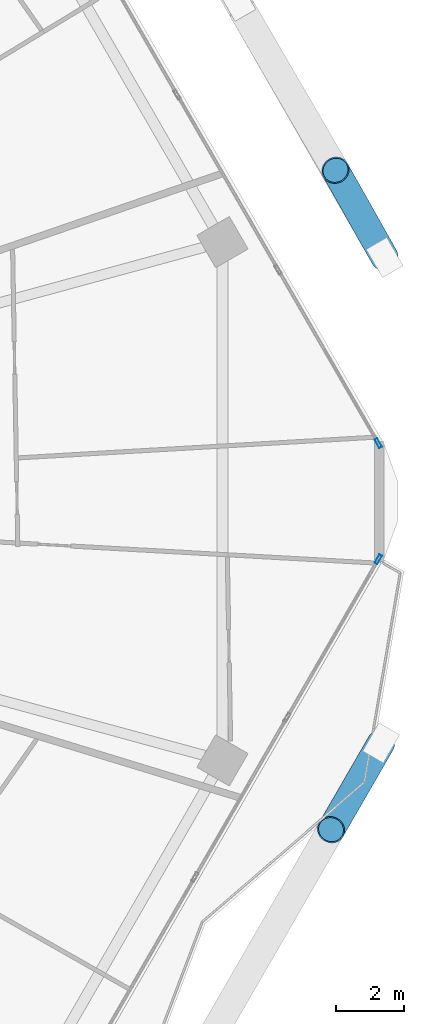
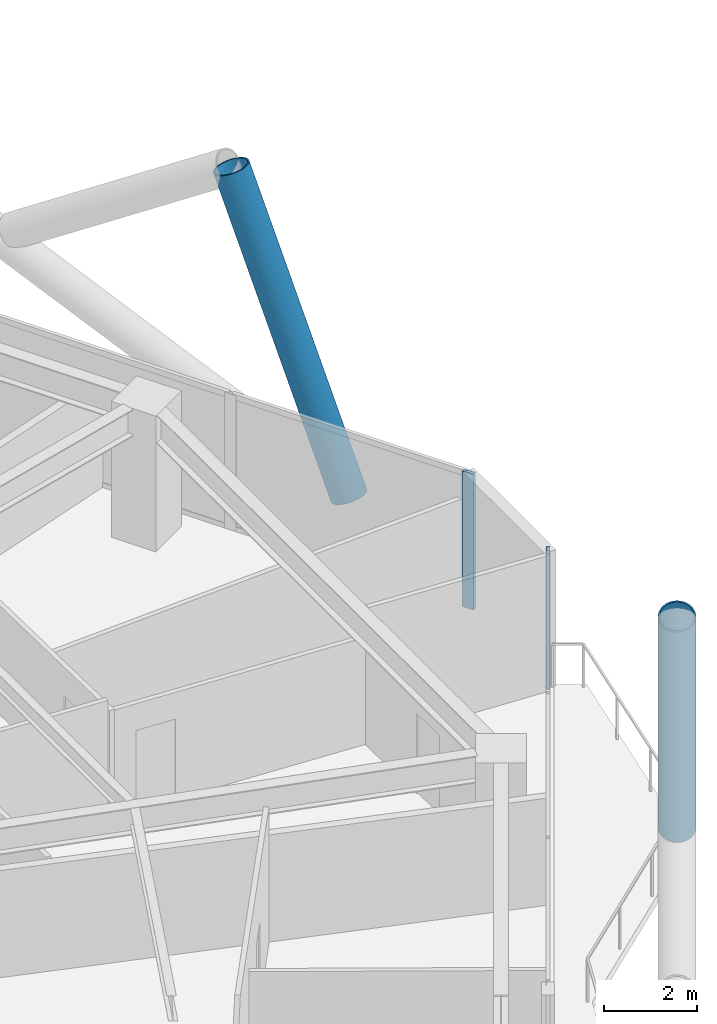
# One storey, part 27 of 36: 4 members, 2 elements without a shape of their own.
"""IFC4 building model written with IfcOpenShell, lengths in metres."""

import ifcopenshell
import ifcopenshell.guid

model = None  # the IFC model being written
_history = None  # IfcOwnerHistory: only IFC2X3 demands one
_inside = {}  # id of a spatial element -> (the spatial element, [elements in it])
_under = {}  # id of a project, library or spatial element -> (it, [spatial elements below it])
_declared = {}  # id of a project -> (the project, [libraries it declares])
_typed = {}  # id of a type object -> (the type object, [elements of that type])
_made_of = {}  # id of a material, layer set ... -> (it, [elements and type objects made of it])


def new_model(schema):
    """Start an empty IFC model of exactly this schema.

    Asked for "IFC4X3", IfcOpenShell would pick the latest addendum, in which some entities
    have other attributes; the version numbers below select the first issue.
    IFC2X3 requires an IfcOwnerHistory on every rooted entity: one is made here for all.
    """
    global model, _history
    if schema == "IFC4X3":
        model = ifcopenshell.file(schema_version=(4, 3, 0, 0))
    else:
        model = ifcopenshell.file(schema=schema)
    _inside.clear()
    _under.clear()
    _declared.clear()
    _typed.clear()
    _made_of.clear()
    _history = None
    if model.schema == "IFC2X3":
        org = make("IfcOrganization", Name="unknown")
        user = make(
            "IfcPersonAndOrganization",
            ThePerson=make("IfcPerson", FamilyName="unknown"),
            TheOrganization=org,
        )
        app = make(
            "IfcApplication",
            ApplicationDeveloper=org,
            Version="unknown",
            ApplicationFullName="unknown",
            ApplicationIdentifier="unknown",
        )
        _history = make(
            "IfcOwnerHistory",
            OwningUser=user,
            OwningApplication=app,
            ChangeAction="ADDED",
            CreationDate=0,
        )
    return model


def make(cls, **values):
    """One entity of the class cls with the attributes given. An attribute that is None is left unset."""
    return model.create_entity(
        cls, **{name: value for name, value in values.items() if value is not None}
    )


def rooted(cls, **values):
    """An entity with a GlobalId (a new one), such as an element, a storey or a relation."""
    return make(cls, GlobalId=ifcopenshell.guid.new(), OwnerHistory=_history, **values)


def si_unit(unit_type, name, prefix=None):
    """IfcSIUnit, for example si_unit("LENGTHUNIT", "METRE", prefix="MILLI")."""
    return make("IfcSIUnit", UnitType=unit_type, Prefix=prefix, Name=name)


def assignment(units):
    """IfcUnitAssignment: the units of a project."""
    return None if units is None else make("IfcUnitAssignment", Units=units)


def point(xyz):
    """IfcCartesianPoint."""
    return None if xyz is None else make("IfcCartesianPoint", Coordinates=xyz)


def direction(xyz):
    """IfcDirection."""
    return None if xyz is None else make("IfcDirection", DirectionRatios=xyz)


def frame(location, z_axis=None, x_axis=None):
    """IfcAxis2Placement3D, a coordinate frame: its origin and axes. An axis left out is left unset."""
    return make(
        "IfcAxis2Placement3D",
        Location=point(location),
        Axis=direction(z_axis),
        RefDirection=direction(x_axis),
    )


def frame_2d(location, x_axis=None):
    """IfcAxis2Placement2D, a coordinate frame in the plane: its origin and x axis."""
    return make(
        "IfcAxis2Placement2D", Location=point(location), RefDirection=direction(x_axis)
    )


def origin():
    """The frame at (0, 0, 0) with its axes left unset."""
    return frame((0.0, 0.0, 0.0))


def origin_2d():
    """The frame at (0, 0) in the plane with its x axis left unset."""
    return frame_2d((0.0, 0.0))


def place(relative_to, where):
    """IfcLocalPlacement: puts the frame where relative to a parent placement (None: the world)."""
    return make(
        "IfcLocalPlacement", PlacementRelTo=relative_to, RelativePlacement=where
    )


def context(
    kind, dimensions, precision=None, world=None, true_north=None, identifier=None
):
    """IfcGeometricRepresentationContext, for example the 3D "Model" context."""
    return make(
        "IfcGeometricRepresentationContext",
        ContextIdentifier=identifier,
        ContextType=kind,
        CoordinateSpaceDimension=dimensions,
        Precision=precision,
        WorldCoordinateSystem=world,
        TrueNorth=true_north,
    )


def subcontext(parent, identifier, kind, view, scale=None):
    """IfcGeometricRepresentationSubContext, for example "Body" below "Model"."""
    return make(
        "IfcGeometricRepresentationSubContext",
        ContextIdentifier=identifier,
        ContextType=kind,
        ParentContext=parent,
        TargetScale=scale,
        TargetView=view,
    )


def project(units=None, contexts=None):
    """IfcProject with its units and contexts."""
    return rooted(
        "IfcProject",
        Name="project",
        RepresentationContexts=contexts,
        UnitsInContext=assignment(units),
    )


def spatial(cls, under=None, at=None, **own):
    """A site, building, storey or space (cls), placed at a placement, below another one or the project."""
    s = rooted(cls, ObjectPlacement=at, **own)
    if under is not None:
        _under.setdefault(under.id(), (under, []))[1].append(s)
    return s


def profile(cls, at=None, kind="AREA", **sizes):
    """A parametric profile (cls). Its sizes go by their IFC names, for example OverallWidth=200.0."""
    return make(cls, ProfileType=kind, Position=at, **sizes)


def hollow_rectangle(**sizes):
    """IfcRectangleHollowProfileDef."""
    return profile("IfcRectangleHollowProfileDef", **sizes)


def hollow_circle(**sizes):
    """IfcCircleHollowProfileDef."""
    return profile("IfcCircleHollowProfileDef", **sizes)


def extrude(swept, where, along, depth):
    """IfcExtrudedAreaSolid: the profile swept, set in the frame where, extruded along a direction by depth."""
    return make(
        "IfcExtrudedAreaSolid",
        SweptArea=swept,
        Position=where,
        ExtrudedDirection=direction(along),
        Depth=depth,
    )


def shape(context_of_items, identifier, shape_type, items):
    """IfcShapeRepresentation: the items that make up one representation, for example the "Body"."""
    return make(
        "IfcShapeRepresentation",
        ContextOfItems=context_of_items,
        RepresentationIdentifier=identifier,
        RepresentationType=shape_type,
        Items=items,
    )


def material(Name=None, Category=None):
    """IfcMaterial."""
    return make("IfcMaterial", Name=Name, Category=Category)


def material_profile(
    of_material, cross_section, Name=None, Category=None, Priority=None
):
    """IfcMaterialProfile: a cross section and its material."""
    return make(
        "IfcMaterialProfile",
        Name=Name,
        Material=of_material,
        Profile=cross_section,
        Priority=Priority,
        Category=Category,
    )


def profile_set(profiles, Name=None, composite=None):
    """IfcMaterialProfileSet."""
    return make(
        "IfcMaterialProfileSet",
        Name=Name,
        MaterialProfiles=profiles,
        CompositeProfile=composite,
    )


def made_of(thing, what):
    """Note that an element or type object is made of a material, layer set ...; save() writes the relation."""
    if what is not None:
        _made_of.setdefault(what.id(), (what, []))[1].append(thing)
    return thing


def type_object(cls, material=None, **own):
    """A type object (cls), such as IfcWallType, which elements share."""
    return made_of(rooted(cls, **own), material)


def element(
    cls,
    number,
    at=None,
    inside=None,
    cuts=None,
    type_object=None,
    material=None,
    context=None,
    identifier="Body",
    shape_type=None,
    held_by="IfcProductDefinitionShape",
    body=None,
    shapes=None,
    **own,
):
    """One element of the class cls, such as IfcWall. Its Tag is "e" and its number.

    at: its placement. inside: the storey or other place that contains it. cuts: it is an
    opening in that element (IfcRelVoidsElement). A single representation is given by context,
    identifier, shape_type and body (its items); several are given by shapes. held_by: the class
    of the entity that holds the representations. save() writes the other relations.
    """
    e = rooted(cls, Tag="e%d" % number, ObjectPlacement=at, **own)
    if body is not None:
        shapes = [shape(context, identifier, shape_type, body)]
    if shapes is not None:
        e.Representation = make(held_by, Representations=shapes)
    if inside is not None:
        _inside.setdefault(inside.id(), (inside, []))[1].append(e)
    if cuts is not None:
        rooted(
            "IfcRelVoidsElement", RelatingBuildingElement=cuts, RelatedOpeningElement=e
        )
    if type_object is not None:
        _typed.setdefault(type_object.id(), (type_object, []))[1].append(e)
    return made_of(e, material)


def aggregate(whole, parts):
    """IfcRelAggregates: a whole, such as a stair, and the parts it consists of."""
    return rooted("IfcRelAggregates", RelatingObject=whole, RelatedObjects=parts)


def save(model, path):
    """Write the relations noted so far, then the file.

    IfcRelAggregates (storeys below a building ...), IfcRelContainedInSpatialStructure (elements
    in a storey), IfcRelDefinesByType, IfcRelAssociatesMaterial and IfcRelDeclares: one each for
    every whole, place, type object, material and project.
    """
    for whole, parts in _under.values():
        aggregate(whole, parts)
    for where, things in _inside.values():
        rooted(
            "IfcRelContainedInSpatialStructure",
            RelatedElements=things,
            RelatingStructure=where,
        )
    for kind, things in _typed.values():
        rooted("IfcRelDefinesByType", RelatedObjects=things, RelatingType=kind)
    for what, things in _made_of.values():
        rooted("IfcRelAssociatesMaterial", RelatedObjects=things, RelatingMaterial=what)
    for by, libraries in _declared.values():
        rooted("IfcRelDeclares", RelatingContext=by, RelatedDefinitions=libraries)
    model.write(path)


model = new_model("IFC4")

# Units and contexts
model_context = context("Model", 3, precision=1e-05, world=origin(), true_north=direction((0.0, 1.0)))
body_context = subcontext(model_context, "Body", "Model", "MODEL_VIEW")
ifc_project = project(units=[si_unit("LENGTHUNIT", "METRE"), si_unit("AREAUNIT", "SQUARE_METRE"), si_unit("VOLUMEUNIT", "CUBIC_METRE"), si_unit("PLANEANGLEUNIT", "RADIAN"), si_unit("MASSUNIT", "GRAM", prefix="KILO")], contexts=[model_context])

# Site, building, storey
site_placement = place(None, origin())
site = spatial("IfcSite", under=ifc_project, at=site_placement, CompositionType="ELEMENT")
building_placement = place(site_placement, origin())
building = spatial("IfcBuilding", under=site, at=building_placement, Name="Zuhravey Tower", CompositionType="ELEMENT")
storey_placement = place(building_placement, frame((0.0, 0.0, 107.60009765625)))
storey = spatial("IfcBuildingStorey", under=building, at=storey_placement, Name="L26", CompositionType="ELEMENT", Elevation=107.60009765625)

# Curtain wall, member
ifc_material_1 = material(Name="Thermally broken anodised aluminium", Category="aluminium")
curtain_wall_type = type_object("IfcCurtainWallType", Name="Zone 1-2 Residential Curtain Wall CW3", PredefinedType="NOTDEFINED", material=ifc_material_1)
curtain_wall_1_placement = place(storey_placement, origin())
curtain_wall_1 = element("IfcCurtainWall", 1, at=curtain_wall_1_placement, inside=storey, type_object=curtain_wall_type, Name="L26 CW3 CW-L26-F6-1", PredefinedType="NOTDEFINED")
ifc_material_2 = material(Name="Anodised aluminium", Category="aluminium")
ifc_material_profile_1 = material_profile(ifc_material_2, hollow_rectangle(XDim=0.090087890625, YDim=0.284912109375, WallThickness=0.0048828125, at=origin_2d()), Name="ALU-RHS-90x285x5")
ifc_profile_set_1 = profile_set([ifc_material_profile_1], Name="Anodised aluminium")
member_type_1 = type_object("IfcMemberType", Name="Curtain-Wall Mullion 90x180", PredefinedType="MULLION", material=ifc_profile_set_1)
member_1_placement = place(storey_placement, frame((68.4560546875, 30.298583984375, 0.0), z_axis=(0.0, 0.0, 1.0), x_axis=(0.866026488417, -0.499998121356, 0.0)))
member_1 = element("IfcMember", 2, at=member_1_placement, type_object=member_type_1, Name="CW3 mullion 1", PredefinedType="MULLION", context=body_context, shape_type="SweptSolid", body=[
    extrude(hollow_rectangle(XDim=0.090087890625, YDim=0.284912109375, WallThickness=0.0048828125, at=origin_2d()), origin(), (0.0, 0.0, 1.0), 3.5498046875),
])
aggregate(curtain_wall_1, [member_1])

curtain_wall_2_placement = place(storey_placement, origin())
curtain_wall_2 = element("IfcCurtainWall", 3, at=curtain_wall_2_placement, inside=storey, type_object=curtain_wall_type, Name="L26 CW3 CW-L26-F1-1", PredefinedType="NOTDEFINED")
member_2_placement = place(storey_placement, frame((68.4560546875, 33.701416015625, 0.0), z_axis=(0.0, 0.0, 1.0), x_axis=(0.86602552265, 0.499999794119, 0.0)))
member_2 = element("IfcMember", 4, at=member_2_placement, type_object=member_type_1, Name="CW3 mullion 6", PredefinedType="MULLION", context=body_context, shape_type="SweptSolid", body=[
    extrude(hollow_rectangle(XDim=0.090087890625, YDim=0.284912109375, WallThickness=0.0048828125, at=origin_2d()), origin(), (0.0, 0.0, 1.0), 3.5498046875),
])
aggregate(curtain_wall_2, [member_2])

# Members
ifc_material_3 = material(Name="Steel SM460", Category="steel")
ifc_material_profile_2 = material_profile(ifc_material_3, hollow_circle(Radius=0.406494140625, WallThickness=0.035888671875, at=origin_2d()), Name="CHS-812.8x36")
ifc_profile_set_2 = profile_set([ifc_material_profile_2], Name="Steel SM460")
member_type_2 = type_object("IfcMemberType", Name="Exoskeleton Zone 1 Diagrid CHS813x36", PredefinedType="BRACE", material=ifc_profile_set_2)
member_3_placement = place(storey_placement, frame((68.63720703125, 39.14794921875, -0.442138671875), z_axis=(-0.177374572946, 0.314555892909, 0.932519625053), x_axis=(-0.871058104172, -0.491179986519, 0.0)))
element("IfcMember", 5, at=member_3_placement, inside=storey, type_object=member_type_2, Name="L26 Face 1 Diagrid Brace 1", PredefinedType="BRACE", context=body_context, shape_type="SweptSolid", body=[
    extrude(hollow_circle(Radius=0.406494140625, WallThickness=0.035888671875, at=origin_2d()), origin(), (0.0, 0.0, 1.0), 8.10302734375),
])
member_4_placement = place(storey_placement, frame((68.533203125, 24.912109375, -0.442138671875), z_axis=(-0.180569214941, -0.312719486379, 0.932524145239), x_axis=(0.866000778371, -0.500042650041, 0.0)))
element("IfcMember", 6, at=member_4_placement, inside=storey, type_object=member_type_2, Name="L26 Face 6 Diagrid Brace 4", PredefinedType="BRACE", context=body_context, shape_type="SweptSolid", body=[
    extrude(hollow_circle(Radius=0.406494140625, WallThickness=0.035888671875, at=origin_2d()), origin(), (0.0, 0.0, 1.0), 8.102783203125),
])

save(model, "model.ifc")
